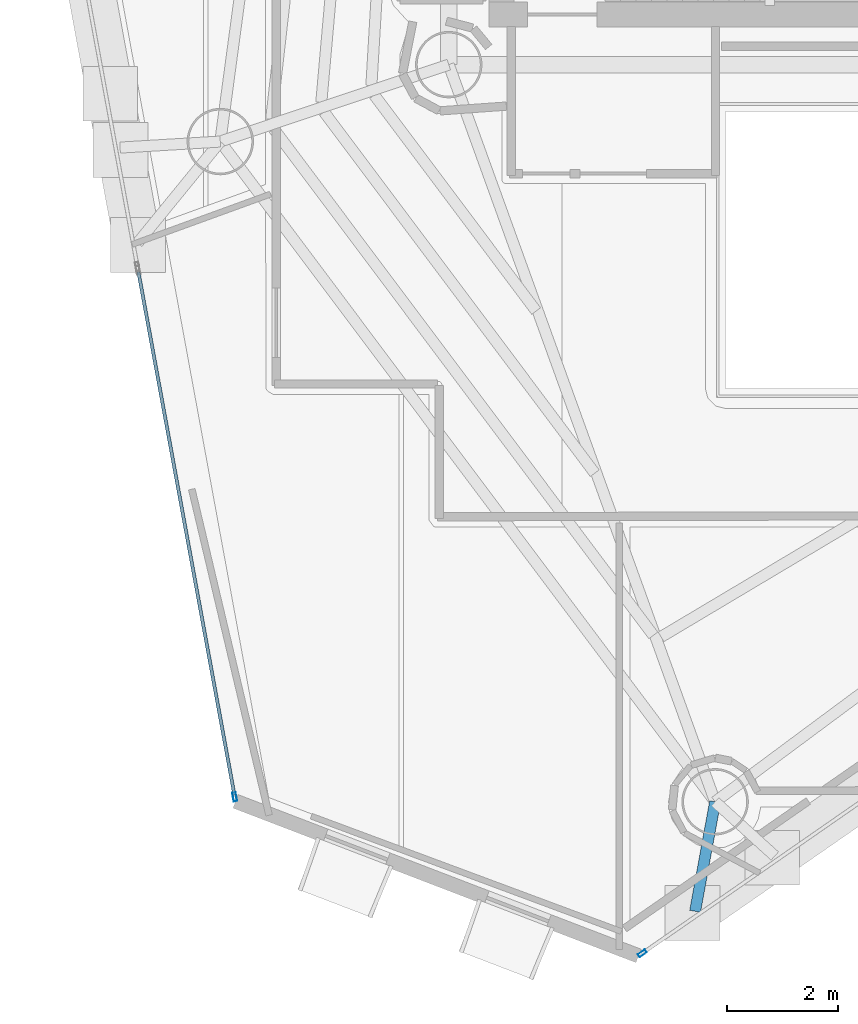
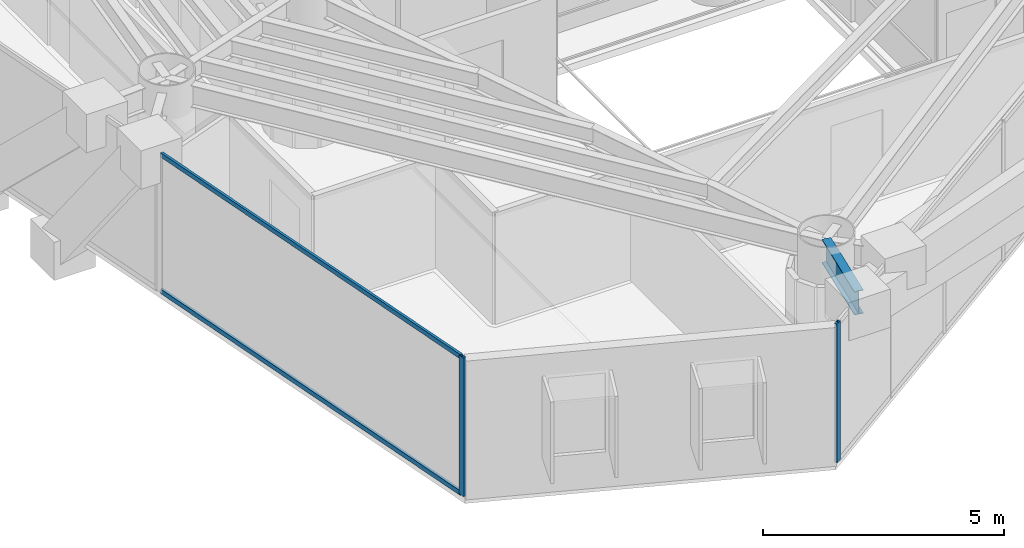
# One storey, part 2 of 23: 4 members, 1 beam, 2 elements without a shape of their own.
"""IFC4 building model written with IfcOpenShell, lengths in metres."""

from ifc_helpers import new_model, si_unit, direction, frame, origin, origin_2d, place, context, subcontext, project, spatial, hollow_rectangle, i_section, extrude, material, layer, layer_set, material_profile, profile_set, type_object, element, aggregate, save


model = new_model("IFC4")

# Units and contexts
model_context = context("Model", 3, precision=1e-05, world=origin(), true_north=direction((0.0, 1.0)))
body_context = subcontext(model_context, "Body", "Model", "MODEL_VIEW")
ifc_project = project(units=[si_unit("LENGTHUNIT", "METRE"), si_unit("AREAUNIT", "SQUARE_METRE"), si_unit("VOLUMEUNIT", "CUBIC_METRE"), si_unit("PLANEANGLEUNIT", "RADIAN"), si_unit("MASSUNIT", "GRAM", prefix="KILO")], contexts=[model_context])

# Site, building, storey
site_placement = place(None, origin())
site = spatial("IfcSite", under=ifc_project, at=site_placement, CompositionType="ELEMENT")
building_placement = place(site_placement, origin())
building = spatial("IfcBuilding", under=site, at=building_placement, Name="Qianvela Tower", CompositionType="ELEMENT")
storey_placement = place(building_placement, frame((0.0, 0.0, 192.89990234375)))
storey = spatial("IfcBuildingStorey", under=building, at=storey_placement, Name="L49", CompositionType="ELEMENT", Elevation=192.89990234375)

# Beam
ifc_material_1 = material(Name="Steel Q355B", Category="steel")
ifc_material_profile_1 = material_profile(ifc_material_1, i_section(OverallWidth=0.199951171875, OverallDepth=0.60009765625, WebThickness=0.010986328125, FlangeThickness=0.01708984375, at=origin_2d()), Name="HN600x200x11x17")
ifc_profile_set_1 = profile_set([ifc_material_profile_1], Name="Steel Q355B")
beam_type = type_object("IfcBeamType", Name="BM-HN600-GIRD", PredefinedType="BEAM", material=ifc_profile_set_1)
beam_placement = place(storey_placement, frame((33.4130859375, 10.531005859375, 3.218017578125), z_axis=(-0.179867947438, -0.983690765172, 0.0), x_axis=(0.983690765172, -0.179867947438, 0.0)))
element("IfcBeam", 1, at=beam_placement, inside=storey, type_object=beam_type, Name="L49 Mega-Brace Column Tie Bracket F3-1", PredefinedType="BEAM", context=body_context, shape_type="SweptSolid", body=[
    extrude(i_section(OverallWidth=0.199951171875, OverallDepth=0.60009765625, WebThickness=0.010986328125, FlangeThickness=0.01708984375, at=origin_2d()), origin(), (0.0, 0.0, 1.0), 2.011474609375),
])

# Curtain wall, member
ifc_material_2 = material(Name="Anodised Architectural Aluminium and Insulated Spandrel Panel", Category="aluminium")
ifc_layer_1 = layer(ifc_material_2, 0.179931640625)
ifc_layer_set_1 = layer_set([ifc_layer_1], Name="Anodised Architectural Aluminium and Insulated Spandrel Panel")
curtain_wall_type_1 = type_object("IfcCurtainWallType", Name="CW-BRACEBAY", PredefinedType="USERDEFINED", material=ifc_layer_set_1)
curtain_wall_1_placement = place(storey_placement, origin())
curtain_wall_1 = element("IfcCurtainWall", 2, at=curtain_wall_1_placement, inside=storey, type_object=curtain_wall_type_1, Name="L49 CW-BRACEBAY Curtain Wall 06A", ObjectType="CURTAIN_WALL_SYSTEM", PredefinedType="USERDEFINED")
ifc_material_3 = material(Name="Anodised Architectural Aluminium 6063-T6", Category="aluminium")
ifc_material_profile_2 = material_profile(ifc_material_3, hollow_rectangle(XDim=0.06494140625, YDim=0.159912109375, WallThickness=0.0048828125, at=origin_2d()), Name="ALU-MULL-65x160")
ifc_profile_set_2 = profile_set([ifc_material_profile_2], Name="Anodised Architectural Aluminium 6063-T6")
member_type_1 = type_object("IfcMemberType", Name="CW-BRACEBAY-MULL", PredefinedType="MULLION", material=ifc_profile_set_2)
member_1_placement = place(storey_placement, frame((32.0966796875, 7.79248046875, 0.0), z_axis=(0.0, 0.0, 1.0), x_axis=(-0.570036654674, 0.821619262388, 0.0)))
member_1 = element("IfcMember", 3, at=member_1_placement, type_object=member_type_1, Name="CW-9 mullion 1", PredefinedType="MULLION", context=body_context, shape_type="SweptSolid", body=[
    extrude(hollow_rectangle(XDim=0.06494140625, YDim=0.159912109375, WallThickness=0.0048828125, at=origin_2d()), origin(), (0.0, 0.0, 1.0), 3.52001953125),
])
aggregate(curtain_wall_1, [member_1])

# Curtain wall, members
ifc_material_4 = material(Name="Anodised Architectural Aluminium and Low-E Glass", Category="aluminium")
ifc_layer_2 = layer(ifc_material_4, 0.159912109375)
ifc_layer_set_2 = layer_set([ifc_layer_2], Name="Anodised Architectural Aluminium and Low-E Glass")
curtain_wall_type_2 = type_object("IfcCurtainWallType", Name="CW-COLIV-Z56", PredefinedType="USERDEFINED", material=ifc_layer_set_2)
curtain_wall_2_placement = place(storey_placement, origin())
curtain_wall_2 = element("IfcCurtainWall", 4, at=curtain_wall_2_placement, inside=storey, type_object=curtain_wall_type_2, Name="L49 CW-COLIV-Z56 Curtain Wall 04C", ObjectType="CURTAIN_WALL_SYSTEM", PredefinedType="USERDEFINED")
ifc_material_5 = material(Name="Anodised Architectural Aluminium 6063-T6", Category="aluminium")
ifc_material_profile_3 = material_profile(ifc_material_5, hollow_rectangle(XDim=0.06494140625, YDim=0.159912109375, WallThickness=0.0048828125, at=origin_2d()), Name="ALU-MULL-65x160")
ifc_profile_set_3 = profile_set([ifc_material_profile_3], Name="Anodised Architectural Aluminium 6063-T6")
member_type_2 = type_object("IfcMemberType", Name="CW-COLIV-Z56-MULL", PredefinedType="MULLION", material=ifc_profile_set_3)
member_2_placement = place(storey_placement, frame((24.733154296875, 10.619384765625, 0.0), z_axis=(0.0, 0.0, 1.0), x_axis=(0.983572096389, 0.180515736726, 0.0)))
member_2 = element("IfcMember", 5, at=member_2_placement, type_object=member_type_2, Name="CW-5 mullion 2", PredefinedType="MULLION", context=body_context, shape_type="SweptSolid", body=[
    extrude(hollow_rectangle(XDim=0.06494140625, YDim=0.159912109375, WallThickness=0.0048828125, at=origin_2d()), origin(), (0.0, 0.0, 1.0), 3.52001953125),
])
ifc_material_6 = material(Name="Anodised Architectural Aluminium 6063-T6", Category="aluminium")
ifc_material_profile_4 = material_profile(ifc_material_6, hollow_rectangle(XDim=0.06005859375, YDim=0.114990234375, WallThickness=0.00390625, at=origin_2d()), Name="ALU-TRAN-60x115")
ifc_profile_set_4 = profile_set([ifc_material_profile_4], Name="Anodised Architectural Aluminium 6063-T6")
member_type_3 = type_object("IfcMemberType", Name="CW-COLIV-Z56-TRAN", PredefinedType="USERDEFINED", material=ifc_profile_set_4)
member_3_placement = place(storey_placement, frame((22.9921875, 20.10498046875, 0.030029296875), z_axis=(0.180499071589, -0.983575154808, 0.0), x_axis=(0.983575154808, 0.180499071589, 0.0)))
member_3 = element("IfcMember", 6, at=member_3_placement, type_object=member_type_3, Name="CW-5 transom 1.1", ObjectType="TRANSOM", PredefinedType="USERDEFINED", context=body_context, shape_type="SweptSolid", body=[
    extrude(hollow_rectangle(XDim=0.06005859375, YDim=0.114990234375, WallThickness=0.00390625, at=origin_2d()), origin(), (0.0, 0.0, 1.0), 9.611572265625),
])
member_4_placement = place(storey_placement, frame((22.9921875, 20.10498046875, 3.489990234375), z_axis=(0.180499071589, -0.983575154808, 0.0), x_axis=(0.983575154808, 0.180499071589, 0.0)))
member_4 = element("IfcMember", 7, at=member_4_placement, type_object=member_type_3, Name="CW-5 transom 1.2", ObjectType="TRANSOM", PredefinedType="USERDEFINED", context=body_context, shape_type="SweptSolid", body=[
    extrude(hollow_rectangle(XDim=0.06005859375, YDim=0.114990234375, WallThickness=0.00390625, at=origin_2d()), origin(), (0.0, 0.0, 1.0), 9.611572265625),
])
aggregate(curtain_wall_2, [member_2, member_3, member_4])

save(model, "model.ifc")
